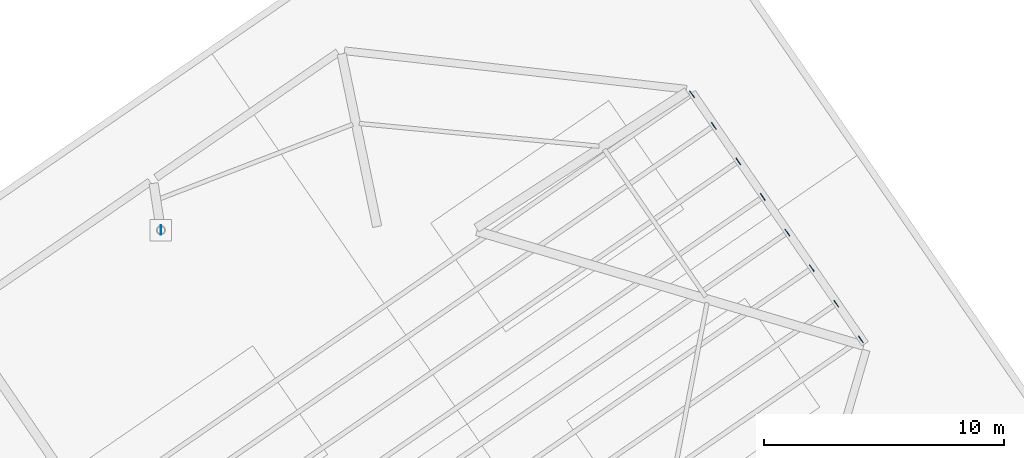
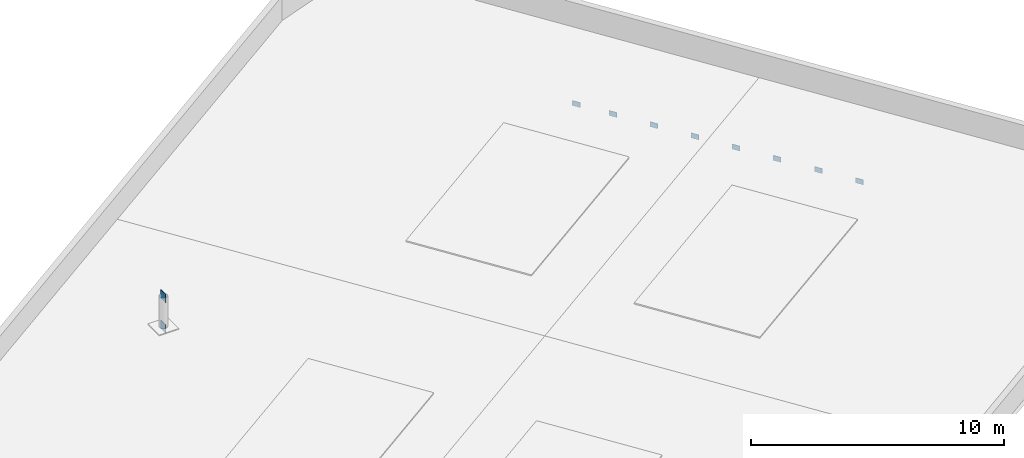
# One storey, part 5 of 7: 10 plates.
"""IFC4 building model written with IfcOpenShell, lengths in metres."""

from ifc_helpers import new_model, si_unit, direction, frame, origin, origin_2d, place, context, subcontext, project, spatial, rectangle, extrude, source, transform, mapped, material, layer, layer_set, type_object, element, save


model = new_model("IFC4")

# Units and contexts
model_context = context("Model", 3, precision=1e-05, world=origin(), true_north=direction((0.0, 1.0)))
body_context = subcontext(model_context, "Body", "Model", "MODEL_VIEW")
ifc_project = project(units=[si_unit("LENGTHUNIT", "METRE"), si_unit("AREAUNIT", "SQUARE_METRE"), si_unit("VOLUMEUNIT", "CUBIC_METRE"), si_unit("PLANEANGLEUNIT", "RADIAN"), si_unit("MASSUNIT", "GRAM", prefix="KILO")], contexts=[model_context])

# Site, building, storey
site_placement = place(None, origin())
site = spatial("IfcSite", under=ifc_project, at=site_placement, CompositionType="ELEMENT")
building_placement = place(site_placement, origin())
building = spatial("IfcBuilding", under=site, at=building_placement, Name="Varnelok Gate Tower", CompositionType="ELEMENT")
storey_placement = place(building_placement, frame((0.0, 0.0, 310.699951171875)))
storey = spatial("IfcBuildingStorey", under=building, at=storey_placement, Name="ROOF", CompositionType="ELEMENT", Elevation=310.699951171875)

# Plates
ifc_material = material(Name="Structural Steel ASTM A572 Grade 50", Category="steel")
ifc_layer = layer(ifc_material, 0.02490234375)
ifc_layer_set = layer_set([ifc_layer], Name="Structural Steel ASTM A572 Grade 50")
plate_type = type_object("IfcPlateType", Name="PLT-ENDCAP-25", PredefinedType="SHEET", material=ifc_layer_set)
shared_shape_1 = source(origin(), body_context, "Body", "SweptSolid", [
    extrude(rectangle(XDim=0.02490234375, YDim=0.340087890625, at=origin_2d()), origin(), (0.0, 0.0, 1.0), 0.239990234375),
])
for number, where, z_axis, x_axis, name in (
    (1, (63.835693359375, 34.498291015625, -0.52978515625), (0.0, 0.0, 1.0), (0.823532597628, 0.567268949127, 0.0), "ROOF hollow member sealed end plate 2"),
    (2, (62.814697265625, 35.980712890625, -0.52978515625), (0.0, 0.0, 1.0), (0.823532597628, 0.567268949127, 0.0), "ROOF hollow member sealed end plate 2"),
    (3, (61.793701171875, 37.462890625, -0.52978515625), (0.0, 0.0, 1.0), (0.823532597628, 0.567268949127, 0.0), "ROOF hollow member sealed end plate 2"),
    (4, (60.7724609375, 38.9453125, -0.52978515625), (0.0, 0.0, 1.0), (0.823532597628, 0.567268949127, 0.0), "ROOF hollow member sealed end plate 2"),
    (5, (59.75146484375, 40.427734375, -0.52978515625), (0.0, 0.0, 1.0), (0.823532597628, 0.567268949127, 0.0), "ROOF hollow member sealed end plate 2"),
    (6, (58.73046875, 41.91015625, -0.52978515625), (0.0, 0.0, 1.0), (0.823532597628, 0.567268949127, 0.0), "ROOF hollow member sealed end plate 2"),
    (7, (57.709228515625, 43.392333984375, -0.52978515625), (0.0, 0.0, 1.0), (0.823532597628, 0.567268949127, 0.0), "ROOF hollow member sealed end plate 2"),
    (8, (56.801513671875, 44.710205078125, -0.52978515625), (0.0, 0.0, 1.0), (0.823532597628, 0.567268949127, 0.0), "ROOF hollow member sealed end plate 2"),
):
    element("IfcPlate", number, at=place(storey_placement, frame(where, z_axis=z_axis, x_axis=x_axis)), inside=storey, type_object=plate_type, Name=name, PredefinedType="SHEET", context=body_context, shape_type="MappedRepresentation", body=[
        mapped(shared_shape_1, transform((0.0, 0.0, 0.0), scale=1.0)),
    ])
shared_shape_2 = source(origin(), body_context, "Body", "SweptSolid", [
    extrude(rectangle(XDim=0.02490234375, YDim=0.39990234375, at=origin_2d()), origin(), (0.0, 0.0, 1.0), 0.39990234375),
])
for number, where, z_axis, x_axis, name in (
    (9, (34.679931640625, 39.050048828125, -0.18603515625), (0.0, 0.0, 1.0), (1.0, 0.0, 0.0), "ROOF hollow member sealed end plate 1"),
    (10, (34.679931640625, 39.050048828125, 1.286376953125), (0.0, 0.0, 1.0), (1.0, 0.0, 0.0), "ROOF hollow member sealed end plate 2"),
):
    element("IfcPlate", number, at=place(storey_placement, frame(where, z_axis=z_axis, x_axis=x_axis)), inside=storey, type_object=plate_type, Name=name, PredefinedType="SHEET", context=body_context, shape_type="MappedRepresentation", body=[
        mapped(shared_shape_2, transform((0.0, 0.0, 0.0), scale=1.0)),
    ])

save(model, "model.ifc")
